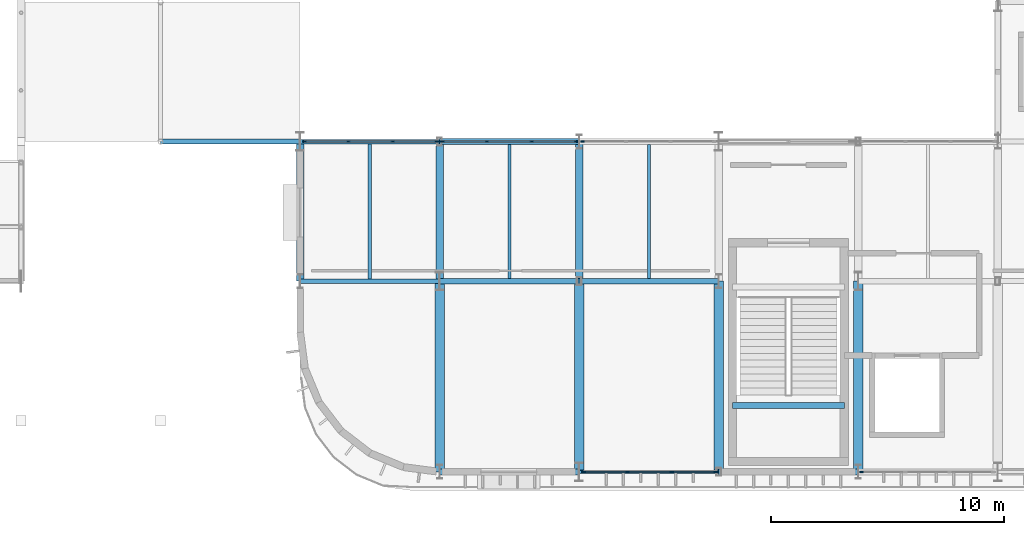
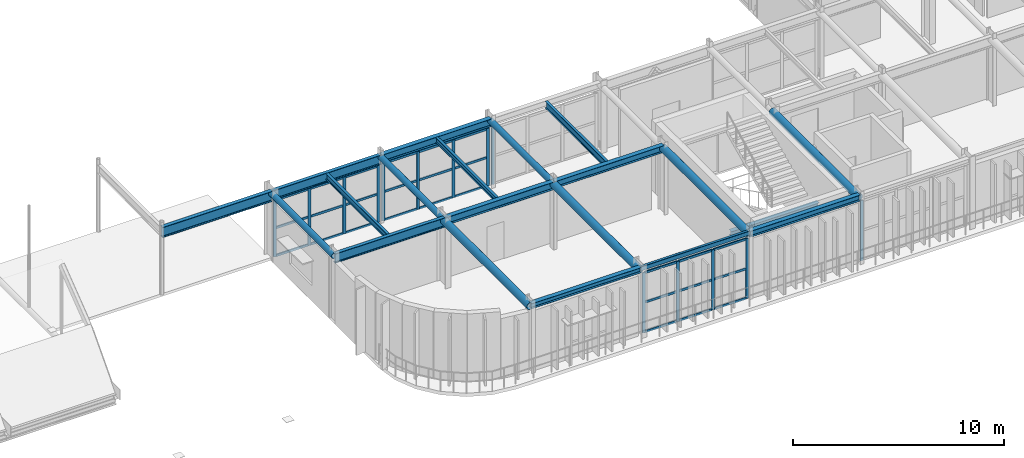
# One storey, part 57 of 116: 41 members, 20 beams, 5 elements without a shape of their own.
"""IFC4 building model written with IfcOpenShell, lengths in metres."""

from ifc_helpers import new_model, si_unit, direction, frame, origin, origin_2d, place, context, subcontext, project, spatial, rectangle, hollow_rectangle, hollow_circle, i_section, extrude, material, material_profile, profile_set, type_object, element, aggregate, save


model = new_model("IFC4")

# Units and contexts
model_context = context("Model", 3, precision=1e-05, world=origin(), true_north=direction((0.0, 1.0)))
body_context = subcontext(model_context, "Body", "Model", "MODEL_VIEW")
ifc_project = project(units=[si_unit("LENGTHUNIT", "METRE"), si_unit("AREAUNIT", "SQUARE_METRE"), si_unit("VOLUMEUNIT", "CUBIC_METRE"), si_unit("PLANEANGLEUNIT", "RADIAN"), si_unit("MASSUNIT", "GRAM", prefix="KILO")], contexts=[model_context])

# Site, building, storey
site_placement = place(None, origin())
site = spatial("IfcSite", under=ifc_project, at=site_placement, CompositionType="ELEMENT")
building_placement = place(site_placement, origin())
building = spatial("IfcBuilding", under=site, at=building_placement, Name="Varnakota Square Police Headquarters", CompositionType="ELEMENT")
storey_placement = place(building_placement, frame((0.0, 0.0, 9.300048828125)))
storey = spatial("IfcBuildingStorey", under=building, at=storey_placement, Name="L02", CompositionType="ELEMENT", Elevation=9.300048828125)

# Beams
ifc_material_1 = material(Name="Steel IS 2062 Grade 350", Category="steel")
ifc_material_profile_1 = material_profile(ifc_material_1, hollow_circle(Radius=0.161865234375, WallThickness=0.0126953125, at=origin_2d()), Name="CHS 323.9x12.7")
ifc_profile_set_1 = profile_set([ifc_material_profile_1], Name="Steel IS 2062 Grade 350")
beam_type_1 = type_object("IfcBeamType", Name="BM-ARC-CHS324", PredefinedType="BEAM", material=ifc_profile_set_1)
for number, where, z_axis, x_axis, name in (
    (1, (108.0, 9.0, 3.738037109375), (0.0, 1.0, 0.0), (-1.0, 0.0, 0.0), "BMG-L02-2231"),
    (2, (114.0, 9.0, 3.738037109375), (0.0, 1.0, 0.0), (-1.0, 0.0, 0.0), "BMG-L02-2238"),
    (3, (120.0, 9.0, 3.738037109375), (0.0, 1.0, 0.0), (-1.0, 0.0, 0.0), "BMG-L02-2247"),
):
    element("IfcBeam", number, at=place(storey_placement, frame(where, z_axis=z_axis, x_axis=x_axis)), inside=storey, type_object=beam_type_1, Name=name, PredefinedType="BEAM", context=body_context, shape_type="SweptSolid", body=[
        extrude(hollow_circle(Radius=0.161865234375, WallThickness=0.0126953125, at=origin_2d()), origin(), (0.0, 0.0, 1.0), 6.0),
    ])
ifc_material_profile_2 = material_profile(ifc_material_1, hollow_circle(Radius=0.203125, WallThickness=0.01611328125, at=origin_2d()), Name="CHS 406.4x16.0")
ifc_profile_set_2 = profile_set([ifc_material_profile_2], Name="Steel IS 2062 Grade 350")
beam_type_2 = type_object("IfcBeamType", Name="BM-ARC-CHS406", PredefinedType="BEAM", material=ifc_profile_set_2)
for number, where, z_axis, x_axis, name in (
    (4, (114.0, 0.800048828125, 3.69677734375), (0.0, 1.0, 0.0), (-1.0, 0.0, 0.0), "BMG-L02-2237"),
    (5, (120.0, 0.800048828125, 3.69677734375), (0.0, 1.0, 0.0), (-1.0, 0.0, 0.0), "BMG-L02-2246"),
    (6, (126.0, 0.800048828125, 3.69677734375), (0.0, 1.0, 0.0), (-1.0, 0.0, 0.0), "BMG-L02-2252"),
    (7, (132.0, 0.800048828125, 3.69677734375), (0.0, 1.0, 0.0), (-1.0, 0.0, 0.0), "BMG-L02-2258"),
):
    element("IfcBeam", number, at=place(storey_placement, frame(where, z_axis=z_axis, x_axis=x_axis)), inside=storey, type_object=beam_type_2, Name=name, PredefinedType="BEAM", context=body_context, shape_type="SweptSolid", body=[
        extrude(hollow_circle(Radius=0.203125, WallThickness=0.01611328125, at=origin_2d()), origin(), (0.0, 0.0, 1.0), 8.199951171875),
    ])
ifc_material_profile_3 = material_profile(ifc_material_1, hollow_rectangle(XDim=0.14990234375, YDim=0.25, WallThickness=0.010009765625, InnerFilletRadius=0.010009765625, OuterFilletRadius=0.02001953125, at=origin_2d()), Name="RHS 250x150x10")
ifc_profile_set_3 = profile_set([ifc_material_profile_3], Name="Steel IS 2062 Grade 350")
beam_type_3 = type_object("IfcBeamType", Name="BM-CBEAM-RHS250", PredefinedType="BEAM", material=ifc_profile_set_3)
beam_1_placement = place(storey_placement, frame((120.0, 0.800048828125, 3.77490234375), z_axis=(1.0, 0.0, 0.0), x_axis=(0.0, 1.0, 0.0)))
element("IfcBeam", 8, at=beam_1_placement, inside=storey, type_object=beam_type_3, Name="BMG-L02-1897", PredefinedType="BEAM", context=body_context, shape_type="SweptSolid", body=[
    extrude(hollow_rectangle(XDim=0.14990234375, YDim=0.25, WallThickness=0.010009765625, InnerFilletRadius=0.010009765625, OuterFilletRadius=0.02001953125, at=origin_2d()), origin(), (0.0, 0.0, 1.0), 6.0),
])
ifc_material_profile_4 = material_profile(ifc_material_1, i_section(OverallWidth=0.25, OverallDepth=0.300048828125, WebThickness=0.009521484375, FlangeThickness=0.010498046875, FilletRadius=0.011962890625, at=origin_2d()), Name="ISHB 300")
ifc_profile_set_4 = profile_set([ifc_material_profile_4], Name="Steel IS 2062 Grade 350")
beam_type_4 = type_object("IfcBeamType", Name="BM-ISHB300", PredefinedType="BEAM", material=ifc_profile_set_4)
beam_2_placement = place(storey_placement, frame((114.0, 0.800048828125, 3.75), z_axis=(1.0, 0.0, 0.0), x_axis=(0.0, 1.0, 0.0)))
element("IfcBeam", 9, at=beam_2_placement, inside=storey, type_object=beam_type_4, Name="BMG-L02-1896", PredefinedType="BEAM", context=body_context, shape_type="SweptSolid", body=[
    extrude(i_section(OverallWidth=0.25, OverallDepth=0.300048828125, WebThickness=0.009521484375, FlangeThickness=0.010498046875, FilletRadius=0.011962890625, at=origin_2d()), origin(), (0.0, 0.0, 1.0), 6.0),
])
beam_3_placement = place(storey_placement, frame((126.60009765625, 3.6494140625, 1.783935546875), z_axis=(1.0, 0.0, 0.0), x_axis=(0.0, 1.0, 0.0)))
element("IfcBeam", 10, at=beam_3_placement, inside=storey, type_object=beam_type_4, Name="Stair landing support beam BM-LND-0006", PredefinedType="BEAM", context=body_context, shape_type="SweptSolid", body=[
    extrude(i_section(OverallWidth=0.25, OverallDepth=0.300048828125, WebThickness=0.009521484375, FlangeThickness=0.010498046875, FilletRadius=0.011962890625, at=origin_2d()), origin(), (0.0, 0.0, 1.0), 4.7998046875),
])
ifc_material_profile_5 = material_profile(ifc_material_1, i_section(OverallWidth=0.25, OverallDepth=0.35009765625, WebThickness=0.010009765625, FlangeThickness=0.01171875, FilletRadius=0.011962890625, at=origin_2d()), Name="ISHB 350")
ifc_profile_set_5 = profile_set([ifc_material_profile_5], Name="Steel IS 2062 Grade 350")
beam_type_5 = type_object("IfcBeamType", Name="BM-ISHB350", PredefinedType="BEAM", material=ifc_profile_set_5)
beam_4_placement = place(storey_placement, frame((126.0, 0.800048828125, 3.724853515625), z_axis=(1.0, 0.0, 0.0), x_axis=(0.0, 1.0, 0.0)))
element("IfcBeam", 11, at=beam_4_placement, inside=storey, type_object=beam_type_5, Name="BMG-L02-1898", PredefinedType="BEAM", context=body_context, shape_type="SweptSolid", body=[
    extrude(i_section(OverallWidth=0.25, OverallDepth=0.35009765625, WebThickness=0.010009765625, FlangeThickness=0.01171875, FilletRadius=0.011962890625, at=origin_2d()), origin(), (0.0, 0.0, 1.0), 6.0),
])
ifc_material_profile_6 = material_profile(ifc_material_1, i_section(OverallWidth=0.25, OverallDepth=0.39990234375, WebThickness=0.010498046875, FlangeThickness=0.0126953125, FilletRadius=0.013916015625, at=origin_2d()), Name="ISHB 400")
ifc_profile_set_6 = profile_set([ifc_material_profile_6], Name="Steel IS 2062 Grade 350")
beam_type_6 = type_object("IfcBeamType", Name="BM-ISHB400", PredefinedType="BEAM", material=ifc_profile_set_6)
beam_5_placement = place(storey_placement, frame((120.0, 9.0, 3.699951171875), z_axis=(1.0, 0.0, 0.0), x_axis=(0.0, 1.0, 0.0)))
element("IfcBeam", 12, at=beam_5_placement, inside=storey, type_object=beam_type_6, Name="BMG-L02-1919", PredefinedType="BEAM", context=body_context, shape_type="SweptSolid", body=[
    extrude(i_section(OverallWidth=0.25, OverallDepth=0.39990234375, WebThickness=0.010498046875, FlangeThickness=0.0126953125, FilletRadius=0.013916015625, at=origin_2d()), origin(), (0.0, 0.0, 1.0), 6.0),
])
ifc_material_profile_7 = material_profile(ifc_material_1, i_section(OverallWidth=0.25, OverallDepth=0.449951171875, WebThickness=0.01123046875, FlangeThickness=0.013671875, FilletRadius=0.014892578125, at=origin_2d()), Name="ISHB 450")
ifc_profile_set_7 = profile_set([ifc_material_profile_7], Name="Steel IS 2062 Grade 350")
beam_type_7 = type_object("IfcBeamType", Name="BM-ISHB450", PredefinedType="BEAM", material=ifc_profile_set_7)
for number, where, z_axis, x_axis, name in (
    (13, (114.0, 9.0, 3.675048828125), (1.0, 0.0, 0.0), (0.0, 1.0, 0.0), "BMG-L02-1918"),
    (14, (114.0, 15.0, 3.675048828125), (1.0, 0.0, 0.0), (0.0, 1.0, 0.0), "BMG-L02-1933"),
):
    element("IfcBeam", number, at=place(storey_placement, frame(where, z_axis=z_axis, x_axis=x_axis)), inside=storey, type_object=beam_type_7, Name=name, PredefinedType="BEAM", context=body_context, shape_type="SweptSolid", body=[
        extrude(i_section(OverallWidth=0.25, OverallDepth=0.449951171875, WebThickness=0.01123046875, FlangeThickness=0.013671875, FilletRadius=0.014892578125, at=origin_2d()), origin(), (0.0, 0.0, 1.0), 6.0),
    ])
ifc_material_profile_8 = material_profile(ifc_material_1, i_section(OverallWidth=0.139892578125, OverallDepth=0.300048828125, WebThickness=0.0078125, FlangeThickness=0.01318359375, FilletRadius=0.013916015625, at=origin_2d()), Name="ISMB 300")
ifc_profile_set_8 = profile_set([ifc_material_profile_8], Name="Steel IS 2062 Grade 350")
beam_type_8 = type_object("IfcBeamType", Name="BM-ISMB300", PredefinedType="JOIST", material=ifc_profile_set_8)
beam_6_placement = place(storey_placement, frame((117.0, 9.123046875, 3.75), z_axis=(0.0, 1.0, 0.0), x_axis=(-1.0, 0.0, 0.0)))
element("IfcBeam", 15, at=beam_6_placement, inside=storey, type_object=beam_type_8, Name="BMG-L02-2384", PredefinedType="JOIST", context=body_context, shape_type="SweptSolid", body=[
    extrude(i_section(OverallWidth=0.139892578125, OverallDepth=0.300048828125, WebThickness=0.0078125, FlangeThickness=0.01318359375, FilletRadius=0.013916015625, at=origin_2d()), origin(), (0.0, 0.0, 1.0), 5.75390625),
])
ifc_material_profile_9 = material_profile(ifc_material_1, i_section(OverallWidth=0.139892578125, OverallDepth=0.35009765625, WebThickness=0.008056640625, FlangeThickness=0.01416015625, FilletRadius=0.013916015625, at=origin_2d()), Name="ISMB 350")
ifc_profile_set_9 = profile_set([ifc_material_profile_9], Name="Steel IS 2062 Grade 350")
beam_type_9 = type_object("IfcBeamType", Name="BM-ISMB350", PredefinedType="JOIST", material=ifc_profile_set_9)
beam_7_placement = place(storey_placement, frame((111.0, 9.093017578125, 3.724853515625), z_axis=(0.0, 1.0, 0.0), x_axis=(-1.0, 0.0, 0.0)))
element("IfcBeam", 16, at=beam_7_placement, inside=storey, type_object=beam_type_9, Name="BMG-L02-2379", PredefinedType="JOIST", context=body_context, shape_type="SweptSolid", body=[
    extrude(i_section(OverallWidth=0.139892578125, OverallDepth=0.35009765625, WebThickness=0.008056640625, FlangeThickness=0.01416015625, FilletRadius=0.013916015625, at=origin_2d()), origin(), (0.0, 0.0, 1.0), 5.81396484375),
])
ifc_material_profile_10 = material_profile(ifc_material_1, i_section(OverallWidth=0.139892578125, OverallDepth=0.39990234375, WebThickness=0.0087890625, FlangeThickness=0.01611328125, FilletRadius=0.013916015625, at=origin_2d()), Name="ISMB 400")
ifc_profile_set_10 = profile_set([ifc_material_profile_10], Name="Steel IS 2062 Grade 350")
beam_type_10 = type_object("IfcBeamType", Name="BM-ISMB400", PredefinedType="JOIST", material=ifc_profile_set_10)
beam_8_placement = place(storey_placement, frame((123.0, 9.123046875, 3.699951171875), z_axis=(0.0, 1.0, 0.0), x_axis=(-1.0, 0.0, 0.0)))
element("IfcBeam", 17, at=beam_8_placement, inside=storey, type_object=beam_type_10, Name="BMG-L02-2388", PredefinedType="JOIST", context=body_context, shape_type="SweptSolid", body=[
    extrude(i_section(OverallWidth=0.139892578125, OverallDepth=0.39990234375, WebThickness=0.0087890625, FlangeThickness=0.01611328125, FilletRadius=0.013916015625, at=origin_2d()), origin(), (0.0, 0.0, 1.0), 5.75390625),
])
ifc_material_profile_11 = material_profile(ifc_material_1, i_section(OverallWidth=0.18994140625, OverallDepth=0.550048828125, WebThickness=0.01123046875, FlangeThickness=0.019287109375, FilletRadius=0.01806640625, at=origin_2d()), Name="ISMB 550")
ifc_profile_set_11 = profile_set([ifc_material_profile_11], Name="Steel IS 2062 Grade 350")
beam_type_11 = type_object("IfcBeamType", Name="BM-ISMB550", PredefinedType="BEAM", material=ifc_profile_set_11)
for number, where, z_axis, x_axis, name in (
    (18, (108.0, 9.0, 3.625), (1.0, 0.0, 0.0), (0.0, 1.0, 0.0), "BMG-L02-1917"),
    (19, (108.0, 15.0, 3.625), (1.0, 0.0, 0.0), (0.0, 1.0, 0.0), "BMG-L02-1932"),
):
    element("IfcBeam", number, at=place(storey_placement, frame(where, z_axis=z_axis, x_axis=x_axis)), inside=storey, type_object=beam_type_11, Name=name, PredefinedType="BEAM", context=body_context, shape_type="SweptSolid", body=[
        extrude(i_section(OverallWidth=0.18994140625, OverallDepth=0.550048828125, WebThickness=0.01123046875, FlangeThickness=0.019287109375, FilletRadius=0.01806640625, at=origin_2d()), origin(), (0.0, 0.0, 1.0), 6.0),
    ])
ifc_material_profile_12 = material_profile(ifc_material_1, i_section(OverallWidth=0.2099609375, OverallDepth=0.60009765625, WebThickness=0.011962890625, FlangeThickness=0.020751953125, FilletRadius=0.02001953125, at=origin_2d()), Name="ISMB 600")
ifc_profile_set_12 = profile_set([ifc_material_profile_12], Name="Steel IS 2062 Grade 350")
beam_type_12 = type_object("IfcBeamType", Name="BM-ISMB600", PredefinedType="BEAM", material=ifc_profile_set_12)
beam_9_placement = place(storey_placement, frame((102.0, 15.0, 3.599853515625), z_axis=(1.0, 0.0, 0.0), x_axis=(0.0, 1.0, 0.0)))
element("IfcBeam", 20, at=beam_9_placement, inside=storey, type_object=beam_type_12, Name="BMG-L02-1931", PredefinedType="BEAM", context=body_context, shape_type="SweptSolid", body=[
    extrude(i_section(OverallWidth=0.2099609375, OverallDepth=0.60009765625, WebThickness=0.011962890625, FlangeThickness=0.020751953125, FilletRadius=0.02001953125, at=origin_2d()), origin(), (0.0, 0.0, 1.0), 6.0),
])

# Curtain wall, members
ifc_material_2 = material(Name="Anodised Aluminium Framing", Category="aluminium")
curtain_wall_type_1 = type_object("IfcCurtainWallType", Name="CW-SYS-B", PredefinedType="NOTDEFINED", material=ifc_material_2)
curtain_wall_1_placement = place(storey_placement, origin())
curtain_wall_1 = element("IfcCurtainWall", 21, at=curtain_wall_1_placement, inside=storey, type_object=curtain_wall_type_1, Name="Unitised curtain wall CWG-L02-066", PredefinedType="NOTDEFINED")
ifc_material_3 = material(Name="Anodised Aluminium 6063-T6", Category="aluminium")
ifc_material_profile_13 = material_profile(ifc_material_3, rectangle(XDim=0.06494140625, YDim=0.159912109375, at=origin_2d()), Name="ALU MULLION 65x160")
ifc_profile_set_13 = profile_set([ifc_material_profile_13], Name="Anodised Aluminium 6063-T6")
member_type_1 = type_object("IfcMemberType", Name="CWM-150", PredefinedType="MULLION", material=ifc_profile_set_13)
member_1_placement = place(storey_placement, frame((120.197509765625, 0.800048828125, 0.0), z_axis=(0.0, 0.0, 1.0), x_axis=(0.0, 1.0, 0.0)))
member_1 = element("IfcMember", 22, at=member_1_placement, type_object=member_type_1, Name="CWG-L02-066 mullion 1", PredefinedType="MULLION", context=body_context, shape_type="SweptSolid", body=[
    extrude(rectangle(XDim=0.06494140625, YDim=0.159912109375, at=origin_2d()), origin(), (0.0, 0.0, 1.0), 3.483642578125),
])
member_2_placement = place(storey_placement, frame((122.074951171875, 0.800048828125, 0.0), z_axis=(0.0, 0.0, 1.0), x_axis=(0.0, 1.0, 0.0)))
member_2 = element("IfcMember", 23, at=member_2_placement, type_object=member_type_1, Name="CWG-L02-066 mullion 2", PredefinedType="MULLION", context=body_context, shape_type="SweptSolid", body=[
    extrude(rectangle(XDim=0.06494140625, YDim=0.159912109375, at=origin_2d()), origin(), (0.0, 0.0, 1.0), 3.483642578125),
])
member_3_placement = place(storey_placement, frame((123.985107421875, 0.800048828125, 0.0), z_axis=(0.0, 0.0, 1.0), x_axis=(0.0, 1.0, 0.0)))
member_3 = element("IfcMember", 24, at=member_3_placement, type_object=member_type_1, Name="CWG-L02-066 mullion 3", PredefinedType="MULLION", context=body_context, shape_type="SweptSolid", body=[
    extrude(rectangle(XDim=0.06494140625, YDim=0.159912109375, at=origin_2d()), origin(), (0.0, 0.0, 1.0), 3.483642578125),
])
member_4_placement = place(storey_placement, frame((125.862548828125, 0.800048828125, 0.0), z_axis=(0.0, 0.0, 1.0), x_axis=(0.0, 1.0, 0.0)))
member_4 = element("IfcMember", 25, at=member_4_placement, type_object=member_type_1, Name="CWG-L02-066 mullion 4", PredefinedType="MULLION", context=body_context, shape_type="SweptSolid", body=[
    extrude(rectangle(XDim=0.06494140625, YDim=0.159912109375, at=origin_2d()), origin(), (0.0, 0.0, 1.0), 3.483642578125),
])

# Curtain wall, member
curtain_wall_2_placement = place(storey_placement, origin())
curtain_wall_2 = element("IfcCurtainWall", 26, at=curtain_wall_2_placement, inside=storey, type_object=curtain_wall_type_1, Name="Unitised curtain wall CWG-L02-067", PredefinedType="NOTDEFINED")
member_5_placement = place(storey_placement, frame((132.142578125, 0.800048828125, 0.0), z_axis=(0.0, 0.0, 1.0), x_axis=(0.0, 1.0, 0.0)))
member_5 = element("IfcMember", 27, at=member_5_placement, type_object=member_type_1, Name="CWG-L02-067 mullion 1", PredefinedType="MULLION", context=body_context, shape_type="SweptSolid", body=[
    extrude(rectangle(XDim=0.06494140625, YDim=0.159912109375, at=origin_2d()), origin(), (0.0, 0.0, 1.0), 3.483642578125),
])
aggregate(curtain_wall_2, [member_5])

# Curtain wall, members
curtain_wall_type_2 = type_object("IfcCurtainWallType", Name="CW-SYS-D", PredefinedType="NOTDEFINED", material=ifc_material_2)
curtain_wall_3_placement = place(storey_placement, origin())
curtain_wall_3 = element("IfcCurtainWall", 28, at=curtain_wall_3_placement, inside=storey, type_object=curtain_wall_type_2, Name="Unitised curtain wall CWG-L02-069", PredefinedType="NOTDEFINED")
member_6_placement = place(storey_placement, frame((108.197509765625, 15.0, 0.0), z_axis=(0.0, 0.0, 1.0), x_axis=(0.0, 1.0, 0.0)))
member_6 = element("IfcMember", 29, at=member_6_placement, type_object=member_type_1, Name="CWG-L02-069 mullion 1", PredefinedType="MULLION", context=body_context, shape_type="SweptSolid", body=[
    extrude(rectangle(XDim=0.06494140625, YDim=0.159912109375, at=origin_2d()), origin(), (0.0, 0.0, 1.0), 3.2900390625),
])
member_7_placement = place(storey_placement, frame((110.074951171875, 15.0, 0.0), z_axis=(0.0, 0.0, 1.0), x_axis=(0.0, 1.0, 0.0)))
member_7 = element("IfcMember", 30, at=member_7_placement, type_object=member_type_1, Name="CWG-L02-069 mullion 2", PredefinedType="MULLION", context=body_context, shape_type="SweptSolid", body=[
    extrude(rectangle(XDim=0.06494140625, YDim=0.159912109375, at=origin_2d()), origin(), (0.0, 0.0, 1.0), 3.2900390625),
])
member_8_placement = place(storey_placement, frame((111.985107421875, 15.0, 0.0), z_axis=(0.0, 0.0, 1.0), x_axis=(0.0, 1.0, 0.0)))
member_8 = element("IfcMember", 31, at=member_8_placement, type_object=member_type_1, Name="CWG-L02-069 mullion 3", PredefinedType="MULLION", context=body_context, shape_type="SweptSolid", body=[
    extrude(rectangle(XDim=0.06494140625, YDim=0.159912109375, at=origin_2d()), origin(), (0.0, 0.0, 1.0), 3.2900390625),
])
member_9_placement = place(storey_placement, frame((113.862548828125, 15.0, 0.0), z_axis=(0.0, 0.0, 1.0), x_axis=(0.0, 1.0, 0.0)))
member_9 = element("IfcMember", 32, at=member_9_placement, type_object=member_type_1, Name="CWG-L02-069 mullion 4", PredefinedType="MULLION", context=body_context, shape_type="SweptSolid", body=[
    extrude(rectangle(XDim=0.06494140625, YDim=0.159912109375, at=origin_2d()), origin(), (0.0, 0.0, 1.0), 3.2900390625),
])

curtain_wall_4_placement = place(storey_placement, origin())
curtain_wall_4 = element("IfcCurtainWall", 33, at=curtain_wall_4_placement, inside=storey, type_object=curtain_wall_type_2, Name="Unitised curtain wall CWG-L02-070", PredefinedType="NOTDEFINED")
member_10_placement = place(storey_placement, frame((114.137451171875, 15.0, 0.0), z_axis=(0.0, 0.0, 1.0), x_axis=(0.0, 1.0, 0.0)))
member_10 = element("IfcMember", 34, at=member_10_placement, type_object=member_type_1, Name="CWG-L02-070 mullion 1", PredefinedType="MULLION", context=body_context, shape_type="SweptSolid", body=[
    extrude(rectangle(XDim=0.06494140625, YDim=0.159912109375, at=origin_2d()), origin(), (0.0, 0.0, 1.0), 3.33984375),
])
member_11_placement = place(storey_placement, frame((116.033447265625, 15.0, 0.0), z_axis=(0.0, 0.0, 1.0), x_axis=(0.0, 1.0, 0.0)))
member_11 = element("IfcMember", 35, at=member_11_placement, type_object=member_type_1, Name="CWG-L02-070 mullion 2", PredefinedType="MULLION", context=body_context, shape_type="SweptSolid", body=[
    extrude(rectangle(XDim=0.06494140625, YDim=0.159912109375, at=origin_2d()), origin(), (0.0, 0.0, 1.0), 3.33984375),
])
member_12_placement = place(storey_placement, frame((117.961669921875, 15.0, 0.0), z_axis=(0.0, 0.0, 1.0), x_axis=(0.0, 1.0, 0.0)))
member_12 = element("IfcMember", 36, at=member_12_placement, type_object=member_type_1, Name="CWG-L02-070 mullion 3", PredefinedType="MULLION", context=body_context, shape_type="SweptSolid", body=[
    extrude(rectangle(XDim=0.06494140625, YDim=0.159912109375, at=origin_2d()), origin(), (0.0, 0.0, 1.0), 3.33984375),
])
member_13_placement = place(storey_placement, frame((119.857421875, 15.0, 0.0), z_axis=(0.0, 0.0, 1.0), x_axis=(0.0, 1.0, 0.0)))
member_13 = element("IfcMember", 37, at=member_13_placement, type_object=member_type_1, Name="CWG-L02-070 mullion 4", PredefinedType="MULLION", context=body_context, shape_type="SweptSolid", body=[
    extrude(rectangle(XDim=0.06494140625, YDim=0.159912109375, at=origin_2d()), origin(), (0.0, 0.0, 1.0), 3.33984375),
])

# Curtain wall, member
curtain_wall_5_placement = place(storey_placement, origin())
curtain_wall_5 = element("IfcCurtainWall", 38, at=curtain_wall_5_placement, inside=storey, type_object=curtain_wall_type_2, Name="Unitised curtain wall CWG-L02-071", PredefinedType="NOTDEFINED")
member_14_placement = place(storey_placement, frame((120.142578125, 15.0, 0.0), z_axis=(0.0, 0.0, 1.0), x_axis=(0.0, 1.0, 0.0)))
member_14 = element("IfcMember", 39, at=member_14_placement, type_object=member_type_1, Name="CWG-L02-071 mullion 1", PredefinedType="MULLION", context=body_context, shape_type="SweptSolid", body=[
    extrude(rectangle(XDim=0.06494140625, YDim=0.159912109375, at=origin_2d()), origin(), (0.0, 0.0, 1.0), 3.2900390625),
])
aggregate(curtain_wall_5, [member_14])

# Member
ifc_material_profile_14 = material_profile(ifc_material_3, rectangle(XDim=0.06494140625, YDim=0.1298828125, at=origin_2d()), Name="ALU TRANSOM 65x130")
ifc_profile_set_14 = profile_set([ifc_material_profile_14], Name="Anodised Aluminium 6063-T6")
member_type_2 = type_object("IfcMemberType", Name="CWT-120", PredefinedType="USERDEFINED", material=ifc_profile_set_14)
member_15_placement = place(storey_placement, frame((120.22998046875, 0.800048828125, 0.032470703125), z_axis=(1.0, 0.0, 0.0), x_axis=(0.0, 1.0, 0.0)))
member_15 = element("IfcMember", 40, at=member_15_placement, type_object=member_type_2, Name="CWG-L02-066 transom 1.1", ObjectType="TRANSOM", PredefinedType="USERDEFINED", context=body_context, shape_type="SweptSolid", body=[
    extrude(rectangle(XDim=0.06494140625, YDim=0.1298828125, at=origin_2d()), origin(), (0.0, 0.0, 1.0), 1.8125),
])

member_16_placement = place(storey_placement, frame((120.22998046875, 0.800048828125, 1.74169921875), z_axis=(1.0, 0.0, 0.0), x_axis=(0.0, 1.0, 0.0)))
member_16 = element("IfcMember", 41, at=member_16_placement, type_object=member_type_2, Name="CWG-L02-066 transom 1.2", ObjectType="TRANSOM", PredefinedType="USERDEFINED", context=body_context, shape_type="SweptSolid", body=[
    extrude(rectangle(XDim=0.06494140625, YDim=0.1298828125, at=origin_2d()), origin(), (0.0, 0.0, 1.0), 1.8125),
])

member_17_placement = place(storey_placement, frame((120.22998046875, 0.800048828125, 3.451171875), z_axis=(1.0, 0.0, 0.0), x_axis=(0.0, 1.0, 0.0)))
member_17 = element("IfcMember", 42, at=member_17_placement, type_object=member_type_2, Name="CWG-L02-066 transom 1.3", ObjectType="TRANSOM", PredefinedType="USERDEFINED", context=body_context, shape_type="SweptSolid", body=[
    extrude(rectangle(XDim=0.06494140625, YDim=0.1298828125, at=origin_2d()), origin(), (0.0, 0.0, 1.0), 1.8125),
])

member_18_placement = place(storey_placement, frame((122.107421875, 0.800048828125, 0.032470703125), z_axis=(1.0, 0.0, 0.0), x_axis=(0.0, 1.0, 0.0)))
member_18 = element("IfcMember", 43, at=member_18_placement, type_object=member_type_2, Name="CWG-L02-066 transom 2.1", ObjectType="TRANSOM", PredefinedType="USERDEFINED", context=body_context, shape_type="SweptSolid", body=[
    extrude(rectangle(XDim=0.06494140625, YDim=0.1298828125, at=origin_2d()), origin(), (0.0, 0.0, 1.0), 1.844970703125),
])

member_19_placement = place(storey_placement, frame((122.107421875, 0.800048828125, 1.74169921875), z_axis=(1.0, 0.0, 0.0), x_axis=(0.0, 1.0, 0.0)))
member_19 = element("IfcMember", 44, at=member_19_placement, type_object=member_type_2, Name="CWG-L02-066 transom 2.2", ObjectType="TRANSOM", PredefinedType="USERDEFINED", context=body_context, shape_type="SweptSolid", body=[
    extrude(rectangle(XDim=0.06494140625, YDim=0.1298828125, at=origin_2d()), origin(), (0.0, 0.0, 1.0), 1.844970703125),
])

member_20_placement = place(storey_placement, frame((122.107421875, 0.800048828125, 3.451171875), z_axis=(1.0, 0.0, 0.0), x_axis=(0.0, 1.0, 0.0)))
member_20 = element("IfcMember", 45, at=member_20_placement, type_object=member_type_2, Name="CWG-L02-066 transom 2.3", ObjectType="TRANSOM", PredefinedType="USERDEFINED", context=body_context, shape_type="SweptSolid", body=[
    extrude(rectangle(XDim=0.06494140625, YDim=0.1298828125, at=origin_2d()), origin(), (0.0, 0.0, 1.0), 1.844970703125),
])

member_21_placement = place(storey_placement, frame((124.017578125, 0.800048828125, 0.032470703125), z_axis=(1.0, 0.0, 0.0), x_axis=(0.0, 1.0, 0.0)))
member_21 = element("IfcMember", 46, at=member_21_placement, type_object=member_type_2, Name="CWG-L02-066 transom 3.1", ObjectType="TRANSOM", PredefinedType="USERDEFINED", context=body_context, shape_type="SweptSolid", body=[
    extrude(rectangle(XDim=0.06494140625, YDim=0.1298828125, at=origin_2d()), origin(), (0.0, 0.0, 1.0), 1.8125),
])

member_22_placement = place(storey_placement, frame((124.017578125, 0.800048828125, 1.74169921875), z_axis=(1.0, 0.0, 0.0), x_axis=(0.0, 1.0, 0.0)))
member_22 = element("IfcMember", 47, at=member_22_placement, type_object=member_type_2, Name="CWG-L02-066 transom 3.2", ObjectType="TRANSOM", PredefinedType="USERDEFINED", context=body_context, shape_type="SweptSolid", body=[
    extrude(rectangle(XDim=0.06494140625, YDim=0.1298828125, at=origin_2d()), origin(), (0.0, 0.0, 1.0), 1.8125),
])

member_23_placement = place(storey_placement, frame((124.017578125, 0.800048828125, 3.451171875), z_axis=(1.0, 0.0, 0.0), x_axis=(0.0, 1.0, 0.0)))
member_23 = element("IfcMember", 48, at=member_23_placement, type_object=member_type_2, Name="CWG-L02-066 transom 3.3", ObjectType="TRANSOM", PredefinedType="USERDEFINED", context=body_context, shape_type="SweptSolid", body=[
    extrude(rectangle(XDim=0.06494140625, YDim=0.1298828125, at=origin_2d()), origin(), (0.0, 0.0, 1.0), 1.8125),
])

aggregate(curtain_wall_1, [member_1, member_2, member_3, member_4, member_15, member_16, member_17, member_18, member_19, member_20, member_21, member_22, member_23])

member_24_placement = place(storey_placement, frame((108.22998046875, 15.0, 0.032470703125), z_axis=(1.0, 0.0, 0.0), x_axis=(0.0, 1.0, 0.0)))
member_24 = element("IfcMember", 49, at=member_24_placement, type_object=member_type_2, Name="CWG-L02-069 transom 1.1", ObjectType="TRANSOM", PredefinedType="USERDEFINED", context=body_context, shape_type="SweptSolid", body=[
    extrude(rectangle(XDim=0.06494140625, YDim=0.1298828125, at=origin_2d()), origin(), (0.0, 0.0, 1.0), 1.8125),
])

member_25_placement = place(storey_placement, frame((108.22998046875, 15.0, 1.64501953125), z_axis=(1.0, 0.0, 0.0), x_axis=(0.0, 1.0, 0.0)))
member_25 = element("IfcMember", 50, at=member_25_placement, type_object=member_type_2, Name="CWG-L02-069 transom 1.2", ObjectType="TRANSOM", PredefinedType="USERDEFINED", context=body_context, shape_type="SweptSolid", body=[
    extrude(rectangle(XDim=0.06494140625, YDim=0.1298828125, at=origin_2d()), origin(), (0.0, 0.0, 1.0), 1.8125),
])

member_26_placement = place(storey_placement, frame((108.22998046875, 15.0, 3.257568359375), z_axis=(1.0, 0.0, 0.0), x_axis=(0.0, 1.0, 0.0)))
member_26 = element("IfcMember", 51, at=member_26_placement, type_object=member_type_2, Name="CWG-L02-069 transom 1.3", ObjectType="TRANSOM", PredefinedType="USERDEFINED", context=body_context, shape_type="SweptSolid", body=[
    extrude(rectangle(XDim=0.06494140625, YDim=0.1298828125, at=origin_2d()), origin(), (0.0, 0.0, 1.0), 1.8125),
])

member_27_placement = place(storey_placement, frame((110.107421875, 15.0, 0.032470703125), z_axis=(1.0, 0.0, 0.0), x_axis=(0.0, 1.0, 0.0)))
member_27 = element("IfcMember", 52, at=member_27_placement, type_object=member_type_2, Name="CWG-L02-069 transom 2.1", ObjectType="TRANSOM", PredefinedType="USERDEFINED", context=body_context, shape_type="SweptSolid", body=[
    extrude(rectangle(XDim=0.06494140625, YDim=0.1298828125, at=origin_2d()), origin(), (0.0, 0.0, 1.0), 1.844970703125),
])

member_28_placement = place(storey_placement, frame((110.107421875, 15.0, 1.64501953125), z_axis=(1.0, 0.0, 0.0), x_axis=(0.0, 1.0, 0.0)))
member_28 = element("IfcMember", 53, at=member_28_placement, type_object=member_type_2, Name="CWG-L02-069 transom 2.2", ObjectType="TRANSOM", PredefinedType="USERDEFINED", context=body_context, shape_type="SweptSolid", body=[
    extrude(rectangle(XDim=0.06494140625, YDim=0.1298828125, at=origin_2d()), origin(), (0.0, 0.0, 1.0), 1.844970703125),
])

member_29_placement = place(storey_placement, frame((110.107421875, 15.0, 3.257568359375), z_axis=(1.0, 0.0, 0.0), x_axis=(0.0, 1.0, 0.0)))
member_29 = element("IfcMember", 54, at=member_29_placement, type_object=member_type_2, Name="CWG-L02-069 transom 2.3", ObjectType="TRANSOM", PredefinedType="USERDEFINED", context=body_context, shape_type="SweptSolid", body=[
    extrude(rectangle(XDim=0.06494140625, YDim=0.1298828125, at=origin_2d()), origin(), (0.0, 0.0, 1.0), 1.844970703125),
])

member_30_placement = place(storey_placement, frame((112.017578125, 15.0, 0.032470703125), z_axis=(1.0, 0.0, 0.0), x_axis=(0.0, 1.0, 0.0)))
member_30 = element("IfcMember", 55, at=member_30_placement, type_object=member_type_2, Name="CWG-L02-069 transom 3.1", ObjectType="TRANSOM", PredefinedType="USERDEFINED", context=body_context, shape_type="SweptSolid", body=[
    extrude(rectangle(XDim=0.06494140625, YDim=0.1298828125, at=origin_2d()), origin(), (0.0, 0.0, 1.0), 1.8125),
])

member_31_placement = place(storey_placement, frame((112.017578125, 15.0, 1.64501953125), z_axis=(1.0, 0.0, 0.0), x_axis=(0.0, 1.0, 0.0)))
member_31 = element("IfcMember", 56, at=member_31_placement, type_object=member_type_2, Name="CWG-L02-069 transom 3.2", ObjectType="TRANSOM", PredefinedType="USERDEFINED", context=body_context, shape_type="SweptSolid", body=[
    extrude(rectangle(XDim=0.06494140625, YDim=0.1298828125, at=origin_2d()), origin(), (0.0, 0.0, 1.0), 1.8125),
])

member_32_placement = place(storey_placement, frame((112.017578125, 15.0, 3.257568359375), z_axis=(1.0, 0.0, 0.0), x_axis=(0.0, 1.0, 0.0)))
member_32 = element("IfcMember", 57, at=member_32_placement, type_object=member_type_2, Name="CWG-L02-069 transom 3.3", ObjectType="TRANSOM", PredefinedType="USERDEFINED", context=body_context, shape_type="SweptSolid", body=[
    extrude(rectangle(XDim=0.06494140625, YDim=0.1298828125, at=origin_2d()), origin(), (0.0, 0.0, 1.0), 1.8125),
])

aggregate(curtain_wall_3, [member_6, member_7, member_8, member_9, member_24, member_25, member_26, member_27, member_28, member_29, member_30, member_31, member_32])

member_33_placement = place(storey_placement, frame((114.169921875, 15.0, 0.032470703125), z_axis=(1.0, 0.0, 0.0), x_axis=(0.0, 1.0, 0.0)))
member_33 = element("IfcMember", 58, at=member_33_placement, type_object=member_type_2, Name="CWG-L02-070 transom 1.1", ObjectType="TRANSOM", PredefinedType="USERDEFINED", context=body_context, shape_type="SweptSolid", body=[
    extrude(rectangle(XDim=0.06494140625, YDim=0.1298828125, at=origin_2d()), origin(), (0.0, 0.0, 1.0), 1.830810546875),
])

member_34_placement = place(storey_placement, frame((114.169921875, 15.0, 1.669921875), z_axis=(1.0, 0.0, 0.0), x_axis=(0.0, 1.0, 0.0)))
member_34 = element("IfcMember", 59, at=member_34_placement, type_object=member_type_2, Name="CWG-L02-070 transom 1.2", ObjectType="TRANSOM", PredefinedType="USERDEFINED", context=body_context, shape_type="SweptSolid", body=[
    extrude(rectangle(XDim=0.06494140625, YDim=0.1298828125, at=origin_2d()), origin(), (0.0, 0.0, 1.0), 1.830810546875),
])

member_35_placement = place(storey_placement, frame((114.169921875, 15.0, 3.307373046875), z_axis=(1.0, 0.0, 0.0), x_axis=(0.0, 1.0, 0.0)))
member_35 = element("IfcMember", 60, at=member_35_placement, type_object=member_type_2, Name="CWG-L02-070 transom 1.3", ObjectType="TRANSOM", PredefinedType="USERDEFINED", context=body_context, shape_type="SweptSolid", body=[
    extrude(rectangle(XDim=0.06494140625, YDim=0.1298828125, at=origin_2d()), origin(), (0.0, 0.0, 1.0), 1.830810546875),
])

member_36_placement = place(storey_placement, frame((116.06591796875, 15.0, 0.032470703125), z_axis=(1.0, 0.0, 0.0), x_axis=(0.0, 1.0, 0.0)))
member_36 = element("IfcMember", 61, at=member_36_placement, type_object=member_type_2, Name="CWG-L02-070 transom 2.1", ObjectType="TRANSOM", PredefinedType="USERDEFINED", context=body_context, shape_type="SweptSolid", body=[
    extrude(rectangle(XDim=0.06494140625, YDim=0.1298828125, at=origin_2d()), origin(), (0.0, 0.0, 1.0), 1.86328125),
])

member_37_placement = place(storey_placement, frame((116.06591796875, 15.0, 1.669921875), z_axis=(1.0, 0.0, 0.0), x_axis=(0.0, 1.0, 0.0)))
member_37 = element("IfcMember", 62, at=member_37_placement, type_object=member_type_2, Name="CWG-L02-070 transom 2.2", ObjectType="TRANSOM", PredefinedType="USERDEFINED", context=body_context, shape_type="SweptSolid", body=[
    extrude(rectangle(XDim=0.06494140625, YDim=0.1298828125, at=origin_2d()), origin(), (0.0, 0.0, 1.0), 1.86328125),
])

member_38_placement = place(storey_placement, frame((116.06591796875, 15.0, 3.307373046875), z_axis=(1.0, 0.0, 0.0), x_axis=(0.0, 1.0, 0.0)))
member_38 = element("IfcMember", 63, at=member_38_placement, type_object=member_type_2, Name="CWG-L02-070 transom 2.3", ObjectType="TRANSOM", PredefinedType="USERDEFINED", context=body_context, shape_type="SweptSolid", body=[
    extrude(rectangle(XDim=0.06494140625, YDim=0.1298828125, at=origin_2d()), origin(), (0.0, 0.0, 1.0), 1.86328125),
])

member_39_placement = place(storey_placement, frame((117.994140625, 15.0, 0.032470703125), z_axis=(1.0, 0.0, 0.0), x_axis=(0.0, 1.0, 0.0)))
member_39 = element("IfcMember", 64, at=member_39_placement, type_object=member_type_2, Name="CWG-L02-070 transom 3.1", ObjectType="TRANSOM", PredefinedType="USERDEFINED", context=body_context, shape_type="SweptSolid", body=[
    extrude(rectangle(XDim=0.06494140625, YDim=0.1298828125, at=origin_2d()), origin(), (0.0, 0.0, 1.0), 1.830810546875),
])

member_40_placement = place(storey_placement, frame((117.994140625, 15.0, 1.669921875), z_axis=(1.0, 0.0, 0.0), x_axis=(0.0, 1.0, 0.0)))
member_40 = element("IfcMember", 65, at=member_40_placement, type_object=member_type_2, Name="CWG-L02-070 transom 3.2", ObjectType="TRANSOM", PredefinedType="USERDEFINED", context=body_context, shape_type="SweptSolid", body=[
    extrude(rectangle(XDim=0.06494140625, YDim=0.1298828125, at=origin_2d()), origin(), (0.0, 0.0, 1.0), 1.830810546875),
])

member_41_placement = place(storey_placement, frame((117.994140625, 15.0, 3.307373046875), z_axis=(1.0, 0.0, 0.0), x_axis=(0.0, 1.0, 0.0)))
member_41 = element("IfcMember", 66, at=member_41_placement, type_object=member_type_2, Name="CWG-L02-070 transom 3.3", ObjectType="TRANSOM", PredefinedType="USERDEFINED", context=body_context, shape_type="SweptSolid", body=[
    extrude(rectangle(XDim=0.06494140625, YDim=0.1298828125, at=origin_2d()), origin(), (0.0, 0.0, 1.0), 1.830810546875),
])

aggregate(curtain_wall_4, [member_10, member_11, member_12, member_13, member_33, member_34, member_35, member_36, member_37, member_38, member_39, member_40, member_41])

save(model, "model.ifc")
